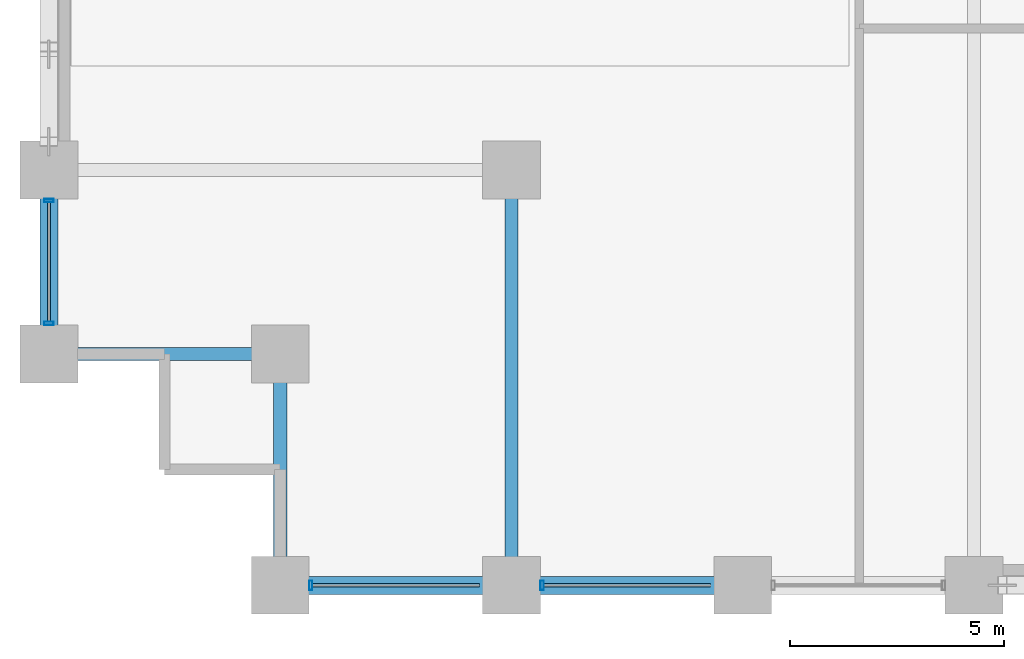
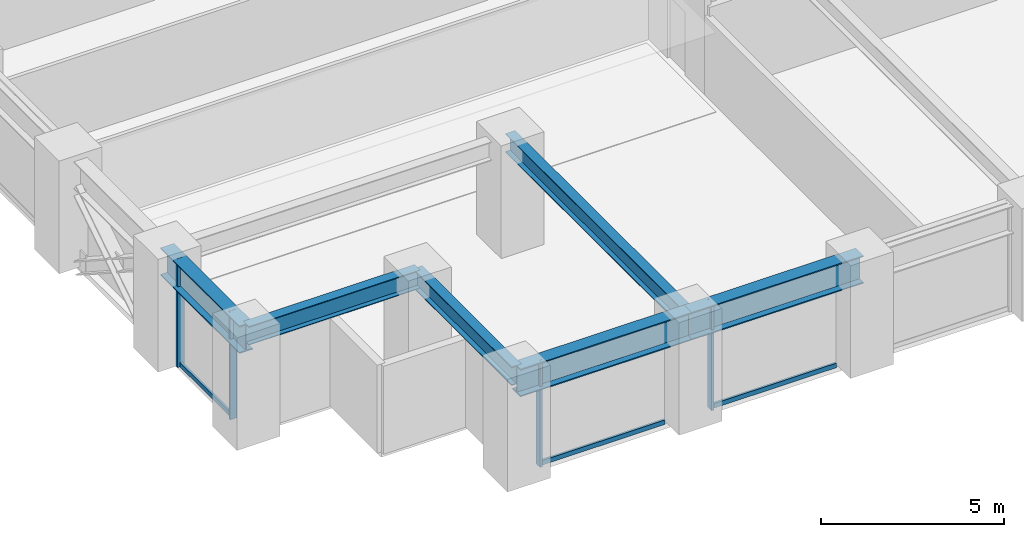
# One storey, part 2 of 25: 7 members, 6 beams, 2 elements without a shape of their own.
"""IFC4 building model written with IfcOpenShell, lengths in metres."""

from ifc_helpers import new_model, si_unit, direction, frame, origin, origin_2d, place, context, subcontext, project, spatial, hollow_rectangle, i_section, extrude, material, layer, layer_set, material_profile, profile_set, type_object, element, aggregate, save


model = new_model("IFC4")

# Units and contexts
model_context = context("Model", 3, precision=1e-05, world=origin(), true_north=direction((0.0, 1.0)))
body_context = subcontext(model_context, "Body", "Model", "MODEL_VIEW")
ifc_project = project(units=[si_unit("LENGTHUNIT", "METRE"), si_unit("AREAUNIT", "SQUARE_METRE"), si_unit("VOLUMEUNIT", "CUBIC_METRE"), si_unit("PLANEANGLEUNIT", "RADIAN"), si_unit("MASSUNIT", "GRAM", prefix="KILO")], contexts=[model_context])

# Site, building, storey
site_placement = place(None, origin())
site = spatial("IfcSite", under=ifc_project, at=site_placement, CompositionType="ELEMENT")
building_placement = place(site_placement, origin())
building = spatial("IfcBuilding", under=site, at=building_placement, Name="Surkhivell Harbour Commons", CompositionType="ELEMENT")
storey_placement = place(building_placement, frame((0.0, 0.0, 33.75)))
storey = spatial("IfcBuildingStorey", under=building, at=storey_placement, Name="L08", CompositionType="ELEMENT", Elevation=33.75)

# Beams
ifc_material_1 = material(Name="Steel S355", Category="steel")
ifc_material_profile_1 = material_profile(ifc_material_1, i_section(OverallWidth=0.306884765625, OverallDepth=0.6201171875, WebThickness=0.01416015625, FlangeThickness=0.023681640625, at=origin_2d()), Name="UB610x305x179")
ifc_profile_set_1 = profile_set([ifc_material_profile_1], Name="Steel S355")
beam_type_1 = type_object("IfcBeamType", Name="BM-GRD-610A", PredefinedType="BEAM", material=ifc_profile_set_1)
for number, where, z_axis, x_axis, name in (
    (1, (-32.39990234375, -20.5, 3.260009765625), (1.0, 0.0, 0.0), (0.0, 1.0, 0.0), "L08 Floor Girder (-32.4,-20.5)"),
    (2, (-27.0, -25.89990234375, 3.260009765625), (0.0, 1.0, 0.0), (-1.0, 0.0, 0.0), "L08 Floor Girder (-27.0,-25.9)"),
):
    element("IfcBeam", number, at=place(storey_placement, frame(where, z_axis=z_axis, x_axis=x_axis)), inside=storey, type_object=beam_type_1, Name=name, PredefinedType="BEAM", context=body_context, shape_type="SweptSolid", body=[
        extrude(i_section(OverallWidth=0.306884765625, OverallDepth=0.6201171875, WebThickness=0.01416015625, FlangeThickness=0.023681640625, at=origin_2d()), origin(), (0.0, 0.0, 1.0), 5.39990234375),
    ])
beam_1_placement = place(storey_placement, frame((-21.60009765625, -25.89990234375, 3.260009765625), z_axis=(0.0, 1.0, 0.0), x_axis=(-1.0, 0.0, 0.0)))
element("IfcBeam", 3, at=beam_1_placement, inside=storey, type_object=beam_type_1, Name="L08 Floor Girder (-21.6,-25.9)", PredefinedType="BEAM", context=body_context, shape_type="SweptSolid", body=[
    extrude(i_section(OverallWidth=0.306884765625, OverallDepth=0.6201171875, WebThickness=0.01416015625, FlangeThickness=0.023681640625, at=origin_2d()), origin(), (0.0, 0.0, 1.0), 9.699951171875),
])
ifc_material_2 = material(Name="Steel S460", Category="steel")
ifc_material_profile_2 = material_profile(ifc_material_2, i_section(OverallWidth=0.419921875, OverallDepth=0.9208984375, WebThickness=0.021484375, FlangeThickness=0.03662109375, at=origin_2d()), Name="UB914x419x388")
ifc_profile_set_2 = profile_set([ifc_material_profile_2], Name="Steel S460")
beam_type_2 = type_object("IfcBeamType", Name="BM-SPN-914A", PredefinedType="SPANDREL", material=ifc_profile_set_2)
beam_2_placement = place(storey_placement, frame((-32.39990234375, -20.5, 3.109619140625), z_axis=(0.0, 1.0, 0.0), x_axis=(-1.0, 0.0, 0.0)))
element("IfcBeam", 4, at=beam_2_placement, inside=storey, type_object=beam_type_2, Name="L08 Tube Spandrel (-32.4,-20.5)", PredefinedType="SPANDREL", context=body_context, shape_type="SweptSolid", body=[
    extrude(i_section(OverallWidth=0.419921875, OverallDepth=0.9208984375, WebThickness=0.021484375, FlangeThickness=0.03662109375, at=origin_2d()), origin(), (0.0, 0.0, 1.0), 4.300048828125),
])
beam_3_placement = place(storey_placement, frame((-27.0, -25.89990234375, 3.109619140625), z_axis=(1.0, 0.0, 0.0), x_axis=(0.0, 1.0, 0.0)))
element("IfcBeam", 5, at=beam_3_placement, inside=storey, type_object=beam_type_2, Name="L08 Tube Spandrel (-27.0,-25.9)", PredefinedType="SPANDREL", context=body_context, shape_type="SweptSolid", body=[
    extrude(i_section(OverallWidth=0.419921875, OverallDepth=0.9208984375, WebThickness=0.021484375, FlangeThickness=0.03662109375, at=origin_2d()), origin(), (0.0, 0.0, 1.0), 5.39990234375),
])
beam_4_placement = place(storey_placement, frame((-21.60009765625, -25.89990234375, 3.109619140625), z_axis=(1.0, 0.0, 0.0), x_axis=(0.0, 1.0, 0.0)))
element("IfcBeam", 6, at=beam_4_placement, inside=storey, type_object=beam_type_2, Name="L08 Tube Spandrel (-21.6,-25.9)", PredefinedType="SPANDREL", context=body_context, shape_type="SweptSolid", body=[
    extrude(i_section(OverallWidth=0.419921875, OverallDepth=0.9208984375, WebThickness=0.021484375, FlangeThickness=0.03662109375, at=origin_2d()), origin(), (0.0, 0.0, 1.0), 5.400146484375),
])

# Curtain wall, members
ifc_material_3 = material(Name="Anodised pale-metal aluminium and insulated glazing", Category="aluminium")
ifc_layer = layer(ifc_material_3, 0.219970703125)
ifc_layer_set = layer_set([ifc_layer], Name="Anodised pale-metal aluminium and insulated glazing")
curtain_wall_type = type_object("IfcCurtainWallType", Name="CW-SYS-Z1", PredefinedType="NOTDEFINED", material=ifc_layer_set)
curtain_wall_1_placement = place(storey_placement, origin())
curtain_wall_1 = element("IfcCurtainWall", 7, at=curtain_wall_1_placement, inside=storey, type_object=curtain_wall_type, Name="L08 Curtain Wall CW-L08-E00S1", PredefinedType="NOTDEFINED")
ifc_material_4 = material(Name="Anodised pale-metal aluminium alloy 6063-T6", Category="aluminium")
ifc_material_profile_3 = material_profile(ifc_material_4, hollow_rectangle(XDim=0.074951171875, YDim=0.219970703125, WallThickness=0.00390625, at=origin_2d()), Name="ALU-MULL-75x220")
ifc_profile_set_3 = profile_set([ifc_material_profile_3], Name="Anodised pale-metal aluminium alloy 6063-T6")
member_type_1 = type_object("IfcMemberType", Name="CWM-220", PredefinedType="MULLION", material=ifc_profile_set_3)
member_1_placement = place(storey_placement, frame((-26.285400390625, -25.89990234375, 0.0), z_axis=(0.0, 0.0, 1.0), x_axis=(1.0, 0.0, 0.0)))
member_1 = element("IfcMember", 8, at=member_1_placement, type_object=member_type_1, Name="CW-Z1 mullion 1", PredefinedType="MULLION", context=body_context, shape_type="SweptSolid", body=[
    extrude(hollow_rectangle(XDim=0.074951171875, YDim=0.219970703125, WallThickness=0.00390625, at=origin_2d()), origin(), (0.0, 0.0, 1.0), 3.570068359375),
])
member_2_placement = place(storey_placement, frame((-20.885498046875, -25.89990234375, 0.0), z_axis=(0.0, 0.0, 1.0), x_axis=(1.0, 0.0, 0.0)))
member_2 = element("IfcMember", 9, at=member_2_placement, type_object=member_type_1, Name="CW-Z1 mullion 2", PredefinedType="MULLION", context=body_context, shape_type="SweptSolid", body=[
    extrude(hollow_rectangle(XDim=0.074951171875, YDim=0.219970703125, WallThickness=0.00390625, at=origin_2d()), origin(), (0.0, 0.0, 1.0), 3.570068359375),
])

curtain_wall_2_placement = place(storey_placement, origin())
curtain_wall_2 = element("IfcCurtainWall", 10, at=curtain_wall_2_placement, inside=storey, type_object=curtain_wall_type, Name="L08 Curtain Wall CW-L08-E12S2", PredefinedType="NOTDEFINED")
member_3_placement = place(storey_placement, frame((-32.39990234375, -16.91455078125, 0.0), z_axis=(0.0, 0.0, 1.0), x_axis=(0.0, -1.0, 0.0)))
member_3 = element("IfcMember", 11, at=member_3_placement, type_object=member_type_1, Name="CW-Z1 mullion 1", PredefinedType="MULLION", context=body_context, shape_type="SweptSolid", body=[
    extrude(hollow_rectangle(XDim=0.074951171875, YDim=0.219970703125, WallThickness=0.00390625, at=origin_2d()), origin(), (0.0, 0.0, 1.0), 3.570068359375),
])
member_4_placement = place(storey_placement, frame((-32.39990234375, -19.785400390625, 0.0), z_axis=(0.0, 0.0, 1.0), x_axis=(0.0, -1.0, 0.0)))
member_4 = element("IfcMember", 12, at=member_4_placement, type_object=member_type_1, Name="CW-Z1 mullion 2", PredefinedType="MULLION", context=body_context, shape_type="SweptSolid", body=[
    extrude(hollow_rectangle(XDim=0.074951171875, YDim=0.219970703125, WallThickness=0.00390625, at=origin_2d()), origin(), (0.0, 0.0, 1.0), 3.570068359375),
])

# Member
ifc_material_profile_4 = material_profile(ifc_material_4, hollow_rectangle(XDim=0.074951171875, YDim=0.14990234375, WallThickness=0.00341796875, at=origin_2d()), Name="ALU-TRAN-75x150")
ifc_profile_set_4 = profile_set([ifc_material_profile_4], Name="Anodised pale-metal aluminium alloy 6063-T6")
member_type_2 = type_object("IfcMemberType", Name="CWT-150", PredefinedType="USERDEFINED", material=ifc_profile_set_4)
member_5_placement = place(storey_placement, frame((-26.248046875, -25.89990234375, 0.074951171875), z_axis=(1.0, 0.0, 0.0), x_axis=(0.0, 1.0, 0.0)))
member_5 = element("IfcMember", 13, at=member_5_placement, type_object=member_type_2, Name="CW-Z1 transom 1.1", ObjectType="TRANSOM", PredefinedType="USERDEFINED", context=body_context, shape_type="SweptSolid", body=[
    extrude(hollow_rectangle(XDim=0.074951171875, YDim=0.14990234375, WallThickness=0.00341796875, at=origin_2d()), origin(), (0.0, 0.0, 1.0), 3.89599609375),
])

member_6_placement = place(storey_placement, frame((-20.847900390625, -25.89990234375, 0.074951171875), z_axis=(1.0, 0.0, 0.0), x_axis=(0.0, 1.0, 0.0)))
member_6 = element("IfcMember", 14, at=member_6_placement, type_object=member_type_2, Name="CW-Z1 transom 2.1", ObjectType="TRANSOM", PredefinedType="USERDEFINED", context=body_context, shape_type="SweptSolid", body=[
    extrude(hollow_rectangle(XDim=0.074951171875, YDim=0.14990234375, WallThickness=0.00341796875, at=origin_2d()), origin(), (0.0, 0.0, 1.0), 3.89599609375),
])

aggregate(curtain_wall_1, [member_1, member_5, member_2, member_6])

member_7_placement = place(storey_placement, frame((-32.39990234375, -16.951904296875, 0.074951171875), z_axis=(0.0, -1.0, 0.0), x_axis=(1.0, 0.0, 0.0)))
member_7 = element("IfcMember", 15, at=member_7_placement, type_object=member_type_2, Name="CW-Z1 transom 1.1", ObjectType="TRANSOM", PredefinedType="USERDEFINED", context=body_context, shape_type="SweptSolid", body=[
    extrude(hollow_rectangle(XDim=0.074951171875, YDim=0.14990234375, WallThickness=0.00341796875, at=origin_2d()), origin(), (0.0, 0.0, 1.0), 2.796142578125),
])

aggregate(curtain_wall_2, [member_3, member_4, member_7])

save(model, "model.ifc")
